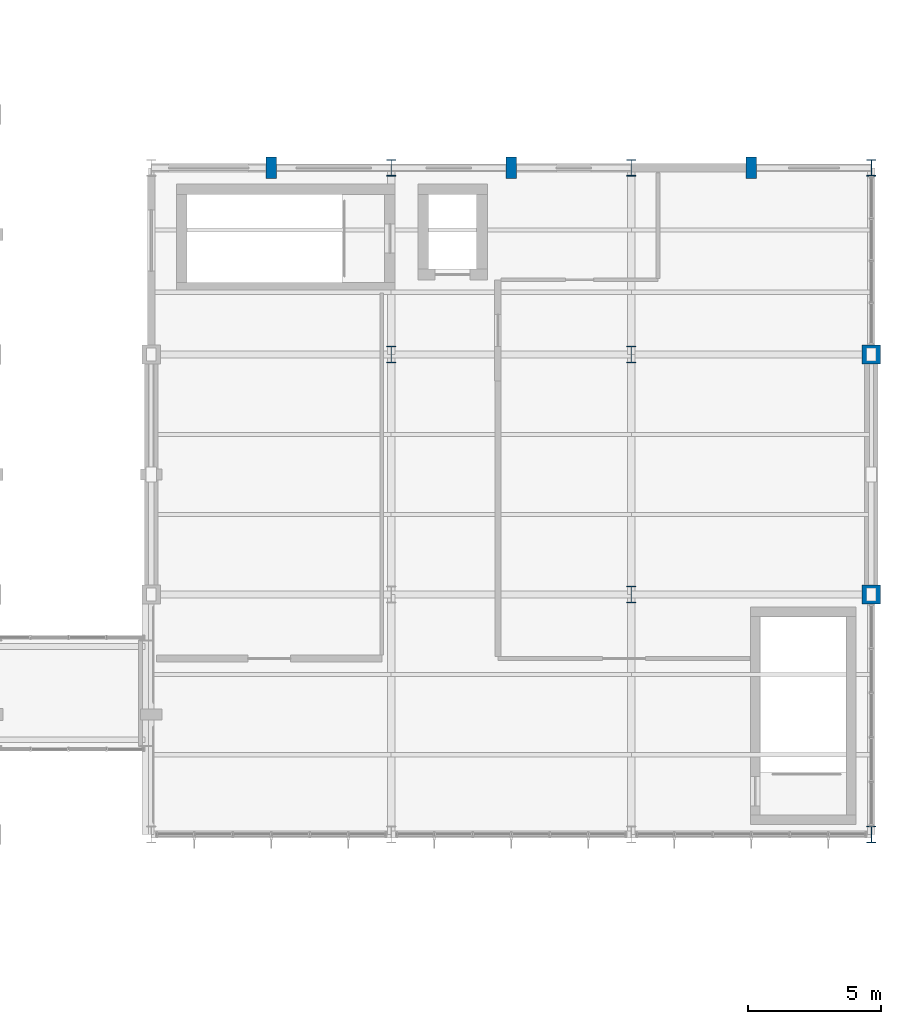
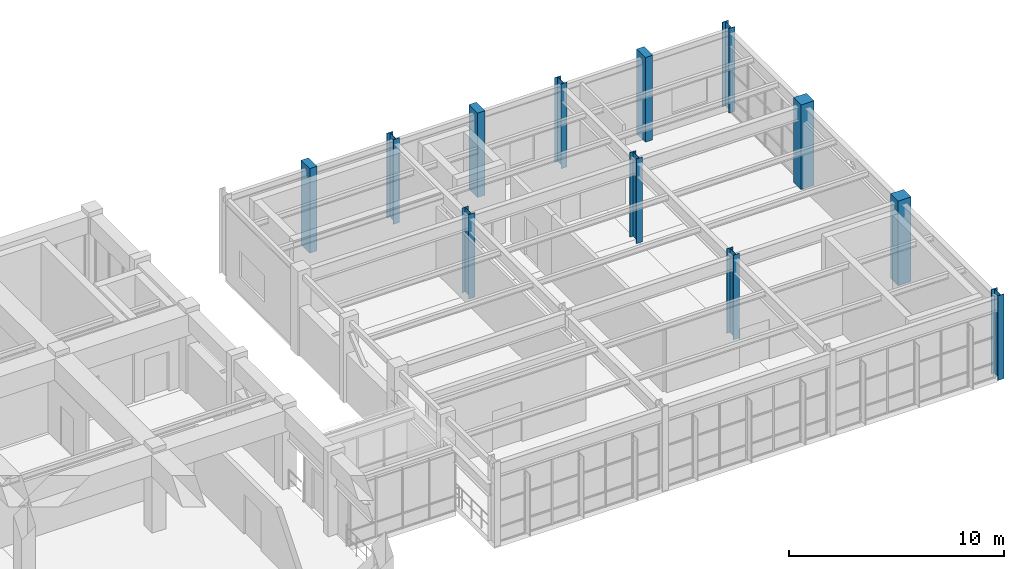
# One storey, part 8 of 99: 12 columns.
"""IFC4 building model written with IfcOpenShell, lengths in metres."""

import ifcopenshell
import ifcopenshell.guid

model = None  # the IFC model being written
_history = None  # IfcOwnerHistory: only IFC2X3 demands one
_inside = {}  # id of a spatial element -> (the spatial element, [elements in it])
_under = {}  # id of a project, library or spatial element -> (it, [spatial elements below it])
_declared = {}  # id of a project -> (the project, [libraries it declares])
_typed = {}  # id of a type object -> (the type object, [elements of that type])
_made_of = {}  # id of a material, layer set ... -> (it, [elements and type objects made of it])


def new_model(schema):
    """Start an empty IFC model of exactly this schema.

    Asked for "IFC4X3", IfcOpenShell would pick the latest addendum, in which some entities
    have other attributes; the version numbers below select the first issue.
    IFC2X3 requires an IfcOwnerHistory on every rooted entity: one is made here for all.
    """
    global model, _history
    if schema == "IFC4X3":
        model = ifcopenshell.file(schema_version=(4, 3, 0, 0))
    else:
        model = ifcopenshell.file(schema=schema)
    _inside.clear()
    _under.clear()
    _declared.clear()
    _typed.clear()
    _made_of.clear()
    _history = None
    if model.schema == "IFC2X3":
        org = make("IfcOrganization", Name="unknown")
        user = make(
            "IfcPersonAndOrganization",
            ThePerson=make("IfcPerson", FamilyName="unknown"),
            TheOrganization=org,
        )
        app = make(
            "IfcApplication",
            ApplicationDeveloper=org,
            Version="unknown",
            ApplicationFullName="unknown",
            ApplicationIdentifier="unknown",
        )
        _history = make(
            "IfcOwnerHistory",
            OwningUser=user,
            OwningApplication=app,
            ChangeAction="ADDED",
            CreationDate=0,
        )
    return model


def make(cls, **values):
    """One entity of the class cls with the attributes given. An attribute that is None is left unset."""
    return model.create_entity(
        cls, **{name: value for name, value in values.items() if value is not None}
    )


def rooted(cls, **values):
    """An entity with a GlobalId (a new one), such as an element, a storey or a relation."""
    return make(cls, GlobalId=ifcopenshell.guid.new(), OwnerHistory=_history, **values)


def si_unit(unit_type, name, prefix=None):
    """IfcSIUnit, for example si_unit("LENGTHUNIT", "METRE", prefix="MILLI")."""
    return make("IfcSIUnit", UnitType=unit_type, Prefix=prefix, Name=name)


def assignment(units):
    """IfcUnitAssignment: the units of a project."""
    return None if units is None else make("IfcUnitAssignment", Units=units)


def point(xyz):
    """IfcCartesianPoint."""
    return None if xyz is None else make("IfcCartesianPoint", Coordinates=xyz)


def direction(xyz):
    """IfcDirection."""
    return None if xyz is None else make("IfcDirection", DirectionRatios=xyz)


def frame(location, z_axis=None, x_axis=None):
    """IfcAxis2Placement3D, a coordinate frame: its origin and axes. An axis left out is left unset."""
    return make(
        "IfcAxis2Placement3D",
        Location=point(location),
        Axis=direction(z_axis),
        RefDirection=direction(x_axis),
    )


def frame_2d(location, x_axis=None):
    """IfcAxis2Placement2D, a coordinate frame in the plane: its origin and x axis."""
    return make(
        "IfcAxis2Placement2D", Location=point(location), RefDirection=direction(x_axis)
    )


def origin():
    """The frame at (0, 0, 0) with its axes left unset."""
    return frame((0.0, 0.0, 0.0))


def origin_2d():
    """The frame at (0, 0) in the plane with its x axis left unset."""
    return frame_2d((0.0, 0.0))


def place(relative_to, where):
    """IfcLocalPlacement: puts the frame where relative to a parent placement (None: the world)."""
    return make(
        "IfcLocalPlacement", PlacementRelTo=relative_to, RelativePlacement=where
    )


def context(
    kind, dimensions, precision=None, world=None, true_north=None, identifier=None
):
    """IfcGeometricRepresentationContext, for example the 3D "Model" context."""
    return make(
        "IfcGeometricRepresentationContext",
        ContextIdentifier=identifier,
        ContextType=kind,
        CoordinateSpaceDimension=dimensions,
        Precision=precision,
        WorldCoordinateSystem=world,
        TrueNorth=true_north,
    )


def subcontext(parent, identifier, kind, view, scale=None):
    """IfcGeometricRepresentationSubContext, for example "Body" below "Model"."""
    return make(
        "IfcGeometricRepresentationSubContext",
        ContextIdentifier=identifier,
        ContextType=kind,
        ParentContext=parent,
        TargetScale=scale,
        TargetView=view,
    )


def project(units=None, contexts=None):
    """IfcProject with its units and contexts."""
    return rooted(
        "IfcProject",
        Name="project",
        RepresentationContexts=contexts,
        UnitsInContext=assignment(units),
    )


def spatial(cls, under=None, at=None, **own):
    """A site, building, storey or space (cls), placed at a placement, below another one or the project."""
    s = rooted(cls, ObjectPlacement=at, **own)
    if under is not None:
        _under.setdefault(under.id(), (under, []))[1].append(s)
    return s


def profile(cls, at=None, kind="AREA", **sizes):
    """A parametric profile (cls). Its sizes go by their IFC names, for example OverallWidth=200.0."""
    return make(cls, ProfileType=kind, Position=at, **sizes)


def rectangle(**sizes):
    """IfcRectangleProfileDef."""
    return profile("IfcRectangleProfileDef", **sizes)


def i_section(**sizes):
    """IfcIShapeProfileDef."""
    return profile("IfcIShapeProfileDef", **sizes)


def extrude(swept, where, along, depth):
    """IfcExtrudedAreaSolid: the profile swept, set in the frame where, extruded along a direction by depth."""
    return make(
        "IfcExtrudedAreaSolid",
        SweptArea=swept,
        Position=where,
        ExtrudedDirection=direction(along),
        Depth=depth,
    )


def shape(context_of_items, identifier, shape_type, items):
    """IfcShapeRepresentation: the items that make up one representation, for example the "Body"."""
    return make(
        "IfcShapeRepresentation",
        ContextOfItems=context_of_items,
        RepresentationIdentifier=identifier,
        RepresentationType=shape_type,
        Items=items,
    )


def material(Name=None, Category=None):
    """IfcMaterial."""
    return make("IfcMaterial", Name=Name, Category=Category)


def material_profile(
    of_material, cross_section, Name=None, Category=None, Priority=None
):
    """IfcMaterialProfile: a cross section and its material."""
    return make(
        "IfcMaterialProfile",
        Name=Name,
        Material=of_material,
        Profile=cross_section,
        Priority=Priority,
        Category=Category,
    )


def profile_set(profiles, Name=None, composite=None):
    """IfcMaterialProfileSet."""
    return make(
        "IfcMaterialProfileSet",
        Name=Name,
        MaterialProfiles=profiles,
        CompositeProfile=composite,
    )


def made_of(thing, what):
    """Note that an element or type object is made of a material, layer set ...; save() writes the relation."""
    if what is not None:
        _made_of.setdefault(what.id(), (what, []))[1].append(thing)
    return thing


def type_object(cls, material=None, **own):
    """A type object (cls), such as IfcWallType, which elements share."""
    return made_of(rooted(cls, **own), material)


def element(
    cls,
    number,
    at=None,
    inside=None,
    cuts=None,
    type_object=None,
    material=None,
    context=None,
    identifier="Body",
    shape_type=None,
    held_by="IfcProductDefinitionShape",
    body=None,
    shapes=None,
    **own,
):
    """One element of the class cls, such as IfcWall. Its Tag is "e" and its number.

    at: its placement. inside: the storey or other place that contains it. cuts: it is an
    opening in that element (IfcRelVoidsElement). A single representation is given by context,
    identifier, shape_type and body (its items); several are given by shapes. held_by: the class
    of the entity that holds the representations. save() writes the other relations.
    """
    e = rooted(cls, Tag="e%d" % number, ObjectPlacement=at, **own)
    if body is not None:
        shapes = [shape(context, identifier, shape_type, body)]
    if shapes is not None:
        e.Representation = make(held_by, Representations=shapes)
    if inside is not None:
        _inside.setdefault(inside.id(), (inside, []))[1].append(e)
    if cuts is not None:
        rooted(
            "IfcRelVoidsElement", RelatingBuildingElement=cuts, RelatedOpeningElement=e
        )
    if type_object is not None:
        _typed.setdefault(type_object.id(), (type_object, []))[1].append(e)
    return made_of(e, material)


def aggregate(whole, parts):
    """IfcRelAggregates: a whole, such as a stair, and the parts it consists of."""
    return rooted("IfcRelAggregates", RelatingObject=whole, RelatedObjects=parts)


def save(model, path):
    """Write the relations noted so far, then the file.

    IfcRelAggregates (storeys below a building ...), IfcRelContainedInSpatialStructure (elements
    in a storey), IfcRelDefinesByType, IfcRelAssociatesMaterial and IfcRelDeclares: one each for
    every whole, place, type object, material and project.
    """
    for whole, parts in _under.values():
        aggregate(whole, parts)
    for where, things in _inside.values():
        rooted(
            "IfcRelContainedInSpatialStructure",
            RelatedElements=things,
            RelatingStructure=where,
        )
    for kind, things in _typed.values():
        rooted("IfcRelDefinesByType", RelatedObjects=things, RelatingType=kind)
    for what, things in _made_of.values():
        rooted("IfcRelAssociatesMaterial", RelatedObjects=things, RelatingMaterial=what)
    for by, libraries in _declared.values():
        rooted("IfcRelDeclares", RelatingContext=by, RelatedDefinitions=libraries)
    model.write(path)


model = new_model("IFC4")

# Units and contexts
model_context = context("Model", 3, precision=1e-05, world=origin(), true_north=direction((0.0, 1.0)))
body_context = subcontext(model_context, "Body", "Model", "MODEL_VIEW")
ifc_project = project(units=[si_unit("LENGTHUNIT", "METRE"), si_unit("AREAUNIT", "SQUARE_METRE"), si_unit("VOLUMEUNIT", "CUBIC_METRE"), si_unit("PLANEANGLEUNIT", "RADIAN"), si_unit("MASSUNIT", "GRAM", prefix="KILO")], contexts=[model_context])

# Site, building, storey
site_placement = place(None, origin())
site = spatial("IfcSite", under=ifc_project, at=site_placement, CompositionType="ELEMENT")
building_placement = place(site_placement, origin())
building = spatial("IfcBuilding", under=site, at=building_placement, Name="Ventoquebrada Cableway Terminal", CompositionType="ELEMENT")
storey_placement = place(building_placement, frame((0.0, 0.0, 9.60009765625)))
storey = spatial("IfcBuildingStorey", under=building, at=storey_placement, Name="L02", CompositionType="ELEMENT", Elevation=9.60009765625)

# Columns
ifc_material_1 = material(Name="Concrete C40/50", Category="concrete")
ifc_material_profile_1 = material_profile(ifc_material_1, rectangle(XDim=0.699951171875, YDim=0.699951171875, at=origin_2d()), Name="RC-COL-700X700")
ifc_profile_set_1 = profile_set([ifc_material_profile_1], Name="Concrete C40/50")
column_type_1 = type_object("IfcColumnType", Name="COL-RC04", PredefinedType="COLUMN", material=ifc_profile_set_1)
for number, where, z_axis, x_axis, name in (
    (1, (156.0, 86.0, 0.0), (0.0, 0.0, 1.0), (1.0, 0.0, 0.0), "Structural column FC-0593"),
    (2, (156.0, 95.0, 0.0), (0.0, 0.0, 1.0), (1.0, 0.0, 0.0), "Structural column FC-0597"),
):
    element("IfcColumn", number, at=place(storey_placement, frame(where, z_axis=z_axis, x_axis=x_axis)), inside=storey, type_object=column_type_1, Name=name, PredefinedType="COLUMN", context=body_context, shape_type="SweptSolid", body=[
        extrude(rectangle(XDim=0.699951171875, YDim=0.699951171875, at=origin_2d()), origin(), (0.0, 0.0, 1.0), 4.7998046875),
    ])
ifc_material_2 = material(Name="Steel ASTM A992 Grade 50", Category="steel")
ifc_material_profile_2 = material_profile(ifc_material_2, i_section(OverallWidth=0.327880859375, OverallDepth=0.6220703125, WebThickness=0.015380859375, FlangeThickness=0.0244140625, at=origin_2d()), Name="W24X131")
ifc_profile_set_2 = profile_set([ifc_material_profile_2], Name="Steel ASTM A992 Grade 50")
column_type_2 = type_object("IfcColumnType", Name="COL-ST02", PredefinedType="COLUMN", material=ifc_profile_set_2)
for number, where, z_axis, x_axis, name in (
    (3, (138.0, 95.0, 0.0), (0.0, 0.0, 1.0), (1.0, 0.0, 0.0), "Structural column FC-0557"),
    (4, (138.0, 102.0, 0.0), (0.0, 0.0, 1.0), (1.0, 0.0, 0.0), "Structural column FC-0561"),
    (5, (147.0, 86.0, 0.0), (0.0, 0.0, 1.0), (1.0, 0.0, 0.0), "Structural column FC-0573"),
    (6, (147.0, 95.0, 0.0), (0.0, 0.0, 1.0), (1.0, 0.0, 0.0), "Structural column FC-0577"),
    (7, (147.0, 102.0, 0.0), (0.0, 0.0, 1.0), (1.0, 0.0, 0.0), "Structural column FC-0581"),
    (8, (156.0, 77.0, 0.0), (0.0, 0.0, 1.0), (1.0, 0.0, 0.0), "Structural column FC-0589"),
    (9, (156.0, 102.0, 0.0), (0.0, 0.0, 1.0), (1.0, 0.0, 0.0), "Structural column FC-0601"),
):
    element("IfcColumn", number, at=place(storey_placement, frame(where, z_axis=z_axis, x_axis=x_axis)), inside=storey, type_object=column_type_2, Name=name, PredefinedType="COLUMN", context=body_context, shape_type="SweptSolid", body=[
        extrude(i_section(OverallWidth=0.327880859375, OverallDepth=0.6220703125, WebThickness=0.015380859375, FlangeThickness=0.0244140625, at=origin_2d()), origin(), (0.0, 0.0, 1.0), 4.7998046875),
    ])
ifc_material_profile_3 = material_profile(ifc_material_1, rectangle(XDim=0.39990234375, YDim=0.800048828125, at=origin_2d()), Name="RC-PIL-400X800")
ifc_profile_set_3 = profile_set([ifc_material_profile_3], Name="Concrete C40/50")
column_type_3 = type_object("IfcColumnType", Name="PIL-RC01", PredefinedType="PILASTER", material=ifc_profile_set_3)
for number, where, z_axis, x_axis, name in (
    (10, (133.5, 102.0, 0.0), (0.0, 0.0, 1.0), (1.0, 0.0, 0.0), "Facade pilaster FPL-0625"),
    (11, (142.5, 102.0, 0.0), (0.0, 0.0, 1.0), (1.0, 0.0, 0.0), "Facade pilaster FPL-0629"),
    (12, (151.5, 102.0, 0.0), (0.0, 0.0, 1.0), (1.0, 0.0, 0.0), "Facade pilaster FPL-0633"),
):
    element("IfcColumn", number, at=place(storey_placement, frame(where, z_axis=z_axis, x_axis=x_axis)), inside=storey, type_object=column_type_3, Name=name, PredefinedType="PILASTER", context=body_context, shape_type="SweptSolid", body=[
        extrude(rectangle(XDim=0.39990234375, YDim=0.800048828125, at=origin_2d()), origin(), (0.0, 0.0, 1.0), 4.7998046875),
    ])

save(model, "model.ifc")
